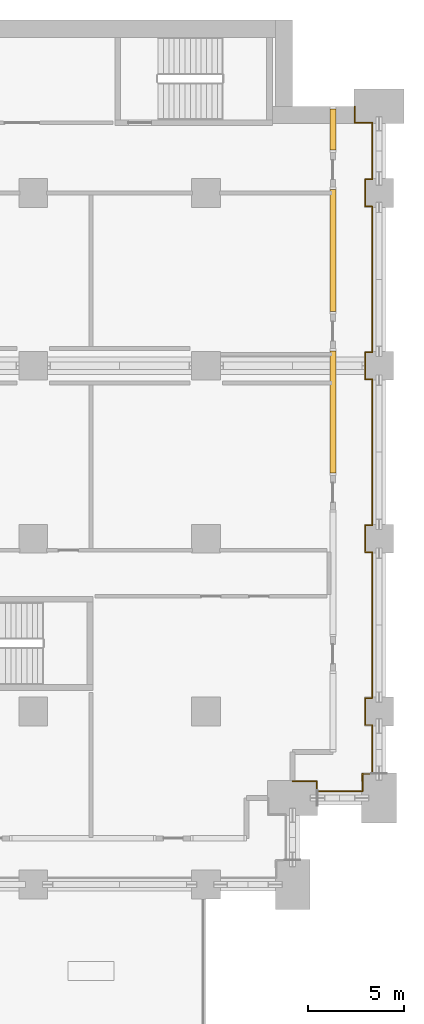
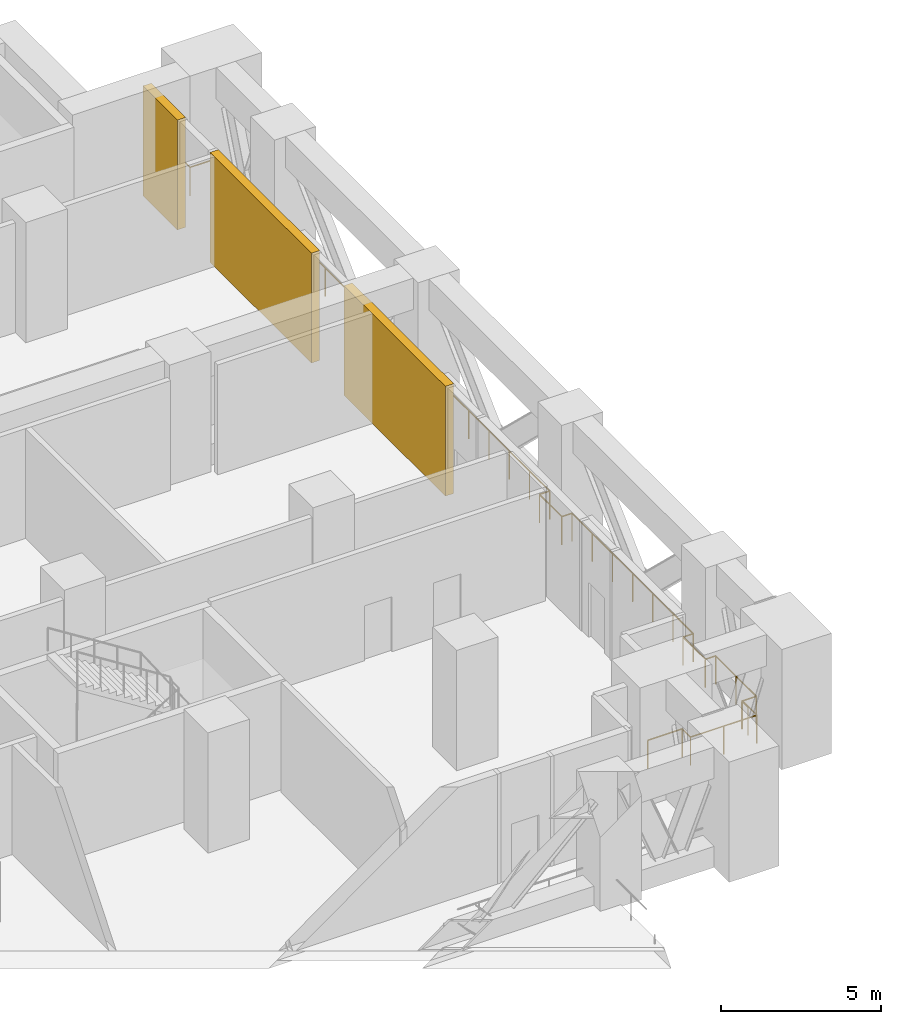
# One storey, part 31 of 31: 3 shading devices, 1 railing.
"""IFC4 building model written with IfcOpenShell, lengths in metres."""

from ifc_helpers import new_model, si_unit, direction, frame, origin, origin_2d, place, context, subcontext, project, spatial, rectangle, circle, extrude, material, layer, layer_set, type_object, element, save


model = new_model("IFC4")

# Units and contexts
model_context = context("Model", 3, precision=1e-05, world=origin(), true_north=direction((0.0, 1.0)))
body_context = subcontext(model_context, "Body", "Model", "MODEL_VIEW")
ifc_project = project(units=[si_unit("LENGTHUNIT", "METRE"), si_unit("AREAUNIT", "SQUARE_METRE"), si_unit("VOLUMEUNIT", "CUBIC_METRE"), si_unit("PLANEANGLEUNIT", "RADIAN"), si_unit("MASSUNIT", "GRAM", prefix="KILO")], contexts=[model_context])

# Site, building, storey
site_placement = place(None, origin())
site = spatial("IfcSite", under=ifc_project, at=site_placement, CompositionType="ELEMENT")
building_placement = place(site_placement, origin())
building = spatial("IfcBuilding", under=site, at=building_placement, Name="Hunhe Ridgeline Campus", CompositionType="ELEMENT")
storey_placement = place(building_placement, frame((0.0, 0.0, 31.199951171875)))
storey = spatial("IfcBuildingStorey", under=building, at=storey_placement, Name="L06", CompositionType="ELEMENT", Elevation=31.199951171875)

# Railing
ifc_material_1 = material(Name="Steel Q355", Category="steel")
railing_type = type_object("IfcRailingType", Name="Loggia guard 1100 Steel Q355", PredefinedType="GUARDRAIL", material=ifc_material_1)
railing_placement = place(storey_placement, frame((94.5, 59.3701171875, 0.0)))
element("IfcRailing", 1, at=railing_placement, inside=storey, type_object=railing_type, Name="Loggia guard 3", PredefinedType="GUARDRAIL", context=body_context, shape_type="SweptSolid", body=[
    extrude(circle(Radius=0.02392578125, at=origin_2d()), frame((0.0, 0.0, 1.076171875), z_axis=(1.0, 0.0, 0.0), x_axis=(0.0, 1.0, 0.0)), (0.0, 0.0, 1.0), 1.25),
    extrude(circle(Radius=0.02392578125, at=origin_2d()), frame((1.25, 0.0, 1.076171875), z_axis=(0.0, -1.0, 0.0), x_axis=(1.0, 0.0, 0.0)), (0.0, 0.0, 1.0), 0.52001953125),
    extrude(circle(Radius=0.02392578125, at=origin_2d()), frame((1.25, -0.52001953125, 1.076171875), z_axis=(1.0, 0.0, 0.0), x_axis=(0.0, 1.0, 0.0)), (0.0, 0.0, 1.0), 2.39990234375),
    extrude(circle(Radius=0.02392578125, at=origin_2d()), frame((3.64990234375, -0.52001953125, 1.076171875), z_axis=(0.0, 1.0, 0.0), x_axis=(-1.0, 0.0, 0.0)), (0.0, 0.0, 1.0), 0.919921875),
    extrude(circle(Radius=0.02392578125, at=origin_2d()), frame((3.64990234375, 0.39990234375, 1.076171875), z_axis=(-0.049998438503, -0.998749295943, 0.0), x_axis=(0.998749295943, -0.049998438503, 0.0)), (0.0, 0.0, 1.0), 0.400390625),
    extrude(circle(Radius=0.02392578125, at=origin_2d()), frame((3.6298828125, 0.0, 1.076171875), z_axis=(0.0, 1.0, 0.0), x_axis=(-1.0, 0.0, 0.0)), (0.0, 0.0, 1.0), 0.3798828125),
    extrude(circle(Radius=0.02392578125, at=origin_2d()), frame((3.6298828125, 0.3798828125, 1.076171875), z_axis=(1.0, 0.0, 0.0), x_axis=(0.0, 1.0, 0.0)), (0.0, 0.0, 1.0), 0.52001953125),
    extrude(circle(Radius=0.02392578125, at=origin_2d()), frame((4.14990234375, 0.3798828125, 1.076171875), z_axis=(0.0, 1.0, 0.0), x_axis=(-1.0, 0.0, 0.0)), (0.0, 0.0, 1.0), 2.550048828125),
    extrude(circle(Radius=0.02392578125, at=origin_2d()), frame((4.14990234375, 2.929931640625, 1.076171875), z_axis=(-1.0, 0.0, 0.0), x_axis=(0.0, -1.0, 0.0)), (0.0, 0.0, 1.0), 0.369873046875),
    extrude(circle(Radius=0.02392578125, at=origin_2d()), frame((3.780029296875, 2.929931640625, 1.076171875), z_axis=(0.0, 1.0, 0.0), x_axis=(-1.0, 0.0, 0.0)), (0.0, 0.0, 1.0), 1.39990234375),
    extrude(circle(Radius=0.02392578125, at=origin_2d()), frame((3.780029296875, 4.329833984375, 1.076171875), z_axis=(1.0, 0.0, 0.0), x_axis=(0.0, 1.0, 0.0)), (0.0, 0.0, 1.0), 0.369873046875),
    extrude(circle(Radius=0.02392578125, at=origin_2d()), frame((4.14990234375, 4.329833984375, 1.076171875), z_axis=(0.0, 1.0, 0.0), x_axis=(-1.0, 0.0, 0.0)), (0.0, 0.0, 1.0), 7.60009765625),
    extrude(circle(Radius=0.02392578125, at=origin_2d()), frame((4.14990234375, 11.929931640625, 1.076171875), z_axis=(-1.0, 0.0, 0.0), x_axis=(0.0, -1.0, 0.0)), (0.0, 0.0, 1.0), 0.369873046875),
    extrude(circle(Radius=0.02392578125, at=origin_2d()), frame((3.780029296875, 11.929931640625, 1.076171875), z_axis=(0.0, 1.0, 0.0), x_axis=(-1.0, 0.0, 0.0)), (0.0, 0.0, 1.0), 1.39990234375),
    extrude(circle(Radius=0.02392578125, at=origin_2d()), frame((3.780029296875, 13.329833984375, 1.076171875), z_axis=(1.0, 0.0, 0.0), x_axis=(0.0, 1.0, 0.0)), (0.0, 0.0, 1.0), 0.369873046875),
    extrude(circle(Radius=0.02392578125, at=origin_2d()), frame((4.14990234375, 13.329833984375, 1.076171875), z_axis=(0.0, 1.0, 0.0), x_axis=(-1.0, 0.0, 0.0)), (0.0, 0.0, 1.0), 7.60009765625),
    extrude(circle(Radius=0.02392578125, at=origin_2d()), frame((4.14990234375, 20.929931640625, 1.076171875), z_axis=(-1.0, 0.0, 0.0), x_axis=(0.0, -1.0, 0.0)), (0.0, 0.0, 1.0), 0.369873046875),
    extrude(circle(Radius=0.02392578125, at=origin_2d()), frame((3.780029296875, 20.929931640625, 1.076171875), z_axis=(0.0, 1.0, 0.0), x_axis=(-1.0, 0.0, 0.0)), (0.0, 0.0, 1.0), 1.39990234375),
    extrude(circle(Radius=0.02392578125, at=origin_2d()), frame((3.780029296875, 22.329833984375, 1.076171875), z_axis=(1.0, 0.0, 0.0), x_axis=(0.0, 1.0, 0.0)), (0.0, 0.0, 1.0), 0.369873046875),
    extrude(circle(Radius=0.02392578125, at=origin_2d()), frame((4.14990234375, 22.329833984375, 1.076171875), z_axis=(0.0, 1.0, 0.0), x_axis=(-1.0, 0.0, 0.0)), (0.0, 0.0, 1.0), 7.60009765625),
    extrude(circle(Radius=0.02392578125, at=origin_2d()), frame((4.14990234375, 29.929931640625, 1.076171875), z_axis=(-1.0, 0.0, 0.0), x_axis=(0.0, -1.0, 0.0)), (0.0, 0.0, 1.0), 0.369873046875),
    extrude(circle(Radius=0.02392578125, at=origin_2d()), frame((3.780029296875, 29.929931640625, 1.076171875), z_axis=(0.0, 1.0, 0.0), x_axis=(-1.0, 0.0, 0.0)), (0.0, 0.0, 1.0), 1.39990234375),
    extrude(circle(Radius=0.02392578125, at=origin_2d()), frame((3.780029296875, 31.329833984375, 1.076171875), z_axis=(1.0, 0.0, 0.0), x_axis=(0.0, 1.0, 0.0)), (0.0, 0.0, 1.0), 0.369873046875),
    extrude(circle(Radius=0.02392578125, at=origin_2d()), frame((4.14990234375, 31.329833984375, 1.076171875), z_axis=(0.0, 1.0, 0.0), x_axis=(-1.0, 0.0, 0.0)), (0.0, 0.0, 1.0), 2.949951171875),
    extrude(circle(Radius=0.02392578125, at=origin_2d()), frame((4.14990234375, 34.27978515625, 1.076171875), z_axis=(-1.0, 0.0, 0.0), x_axis=(0.0, -1.0, 0.0)), (0.0, 0.0, 1.0), 0.919921875),
    extrude(circle(Radius=0.02392578125, at=origin_2d()), frame((3.22998046875, 34.27978515625, 1.076171875), z_axis=(0.0, 1.0, 0.0), x_axis=(-1.0, 0.0, 0.0)), (0.0, 0.0, 1.0), 0.85009765625),
    extrude(circle(Radius=0.02099609375, at=origin_2d()), origin(), (0.0, 0.0, 1.0), 1.052001953125),
    extrude(circle(Radius=0.02099609375, at=origin_2d()), frame((1.25, 0.0, 0.0)), (0.0, 0.0, 1.0), 1.052001953125),
    extrude(circle(Radius=0.02099609375, at=origin_2d()), frame((1.25, -0.52001953125, 0.0)), (0.0, 0.0, 1.0), 1.052001953125),
    extrude(circle(Radius=0.02099609375, at=origin_2d()), frame((2.449951171875, -0.52001953125, 0.0)), (0.0, 0.0, 1.0), 1.052001953125),
    extrude(circle(Radius=0.02099609375, at=origin_2d()), frame((3.64990234375, -0.52001953125, 0.0)), (0.0, 0.0, 1.0), 1.052001953125),
    extrude(circle(Radius=0.02099609375, at=origin_2d()), frame((3.64990234375, 0.39990234375, 0.0)), (0.0, 0.0, 1.0), 1.052001953125),
    extrude(circle(Radius=0.02099609375, at=origin_2d()), frame((3.6298828125, 0.0, 0.0)), (0.0, 0.0, 1.0), 1.052001953125),
    extrude(circle(Radius=0.02099609375, at=origin_2d()), frame((3.6298828125, 0.3798828125, 0.0)), (0.0, 0.0, 1.0), 1.052001953125),
    extrude(circle(Radius=0.02099609375, at=origin_2d()), frame((4.14990234375, 0.3798828125, 0.0)), (0.0, 0.0, 1.0), 1.052001953125),
    extrude(circle(Radius=0.02099609375, at=origin_2d()), frame((4.14990234375, 1.65478515625, 0.0)), (0.0, 0.0, 1.0), 1.052001953125),
    extrude(circle(Radius=0.02099609375, at=origin_2d()), frame((4.14990234375, 2.929931640625, 0.0)), (0.0, 0.0, 1.0), 1.052001953125),
    extrude(circle(Radius=0.02099609375, at=origin_2d()), frame((3.780029296875, 2.929931640625, 0.0)), (0.0, 0.0, 1.0), 1.052001953125),
    extrude(circle(Radius=0.02099609375, at=origin_2d()), frame((3.780029296875, 4.329833984375, 0.0)), (0.0, 0.0, 1.0), 1.052001953125),
    extrude(circle(Radius=0.02099609375, at=origin_2d()), frame((4.14990234375, 4.329833984375, 0.0)), (0.0, 0.0, 1.0), 1.052001953125),
    extrude(circle(Radius=0.02099609375, at=origin_2d()), frame((4.14990234375, 5.596435546875, 0.0)), (0.0, 0.0, 1.0), 1.052001953125),
    extrude(circle(Radius=0.02099609375, at=origin_2d()), frame((4.14990234375, 6.86328125, 0.0)), (0.0, 0.0, 1.0), 1.052001953125),
    extrude(circle(Radius=0.02099609375, at=origin_2d()), frame((4.14990234375, 8.1298828125, 0.0)), (0.0, 0.0, 1.0), 1.052001953125),
    extrude(circle(Radius=0.02099609375, at=origin_2d()), frame((4.14990234375, 9.396484375, 0.0)), (0.0, 0.0, 1.0), 1.052001953125),
    extrude(circle(Radius=0.02099609375, at=origin_2d()), frame((4.14990234375, 10.663330078125, 0.0)), (0.0, 0.0, 1.0), 1.052001953125),
    extrude(circle(Radius=0.02099609375, at=origin_2d()), frame((4.14990234375, 11.929931640625, 0.0)), (0.0, 0.0, 1.0), 1.052001953125),
    extrude(circle(Radius=0.02099609375, at=origin_2d()), frame((3.780029296875, 11.929931640625, 0.0)), (0.0, 0.0, 1.0), 1.052001953125),
    extrude(circle(Radius=0.02099609375, at=origin_2d()), frame((3.780029296875, 13.329833984375, 0.0)), (0.0, 0.0, 1.0), 1.052001953125),
    extrude(circle(Radius=0.02099609375, at=origin_2d()), frame((4.14990234375, 13.329833984375, 0.0)), (0.0, 0.0, 1.0), 1.052001953125),
    extrude(circle(Radius=0.02099609375, at=origin_2d()), frame((4.14990234375, 14.596435546875, 0.0)), (0.0, 0.0, 1.0), 1.052001953125),
    extrude(circle(Radius=0.02099609375, at=origin_2d()), frame((4.14990234375, 15.86328125, 0.0)), (0.0, 0.0, 1.0), 1.052001953125),
    extrude(circle(Radius=0.02099609375, at=origin_2d()), frame((4.14990234375, 17.1298828125, 0.0)), (0.0, 0.0, 1.0), 1.052001953125),
    extrude(circle(Radius=0.02099609375, at=origin_2d()), frame((4.14990234375, 18.396484375, 0.0)), (0.0, 0.0, 1.0), 1.052001953125),
    extrude(circle(Radius=0.02099609375, at=origin_2d()), frame((4.14990234375, 19.663330078125, 0.0)), (0.0, 0.0, 1.0), 1.052001953125),
    extrude(circle(Radius=0.02099609375, at=origin_2d()), frame((4.14990234375, 20.929931640625, 0.0)), (0.0, 0.0, 1.0), 1.052001953125),
    extrude(circle(Radius=0.02099609375, at=origin_2d()), frame((3.780029296875, 20.929931640625, 0.0)), (0.0, 0.0, 1.0), 1.052001953125),
    extrude(circle(Radius=0.02099609375, at=origin_2d()), frame((3.780029296875, 22.329833984375, 0.0)), (0.0, 0.0, 1.0), 1.052001953125),
    extrude(circle(Radius=0.02099609375, at=origin_2d()), frame((4.14990234375, 22.329833984375, 0.0)), (0.0, 0.0, 1.0), 1.052001953125),
    extrude(circle(Radius=0.02099609375, at=origin_2d()), frame((4.14990234375, 23.596435546875, 0.0)), (0.0, 0.0, 1.0), 1.052001953125),
    extrude(circle(Radius=0.02099609375, at=origin_2d()), frame((4.14990234375, 24.86328125, 0.0)), (0.0, 0.0, 1.0), 1.052001953125),
    extrude(circle(Radius=0.02099609375, at=origin_2d()), frame((4.14990234375, 26.1298828125, 0.0)), (0.0, 0.0, 1.0), 1.052001953125),
    extrude(circle(Radius=0.02099609375, at=origin_2d()), frame((4.14990234375, 27.396484375, 0.0)), (0.0, 0.0, 1.0), 1.052001953125),
    extrude(circle(Radius=0.02099609375, at=origin_2d()), frame((4.14990234375, 28.663330078125, 0.0)), (0.0, 0.0, 1.0), 1.052001953125),
    extrude(circle(Radius=0.02099609375, at=origin_2d()), frame((4.14990234375, 29.929931640625, 0.0)), (0.0, 0.0, 1.0), 1.052001953125),
    extrude(circle(Radius=0.02099609375, at=origin_2d()), frame((3.780029296875, 29.929931640625, 0.0)), (0.0, 0.0, 1.0), 1.052001953125),
    extrude(circle(Radius=0.02099609375, at=origin_2d()), frame((3.780029296875, 31.329833984375, 0.0)), (0.0, 0.0, 1.0), 1.052001953125),
    extrude(circle(Radius=0.02099609375, at=origin_2d()), frame((4.14990234375, 31.329833984375, 0.0)), (0.0, 0.0, 1.0), 1.052001953125),
    extrude(circle(Radius=0.02099609375, at=origin_2d()), frame((4.14990234375, 32.8046875, 0.0)), (0.0, 0.0, 1.0), 1.052001953125),
    extrude(circle(Radius=0.02099609375, at=origin_2d()), frame((4.14990234375, 34.27978515625, 0.0)), (0.0, 0.0, 1.0), 1.052001953125),
    extrude(circle(Radius=0.02099609375, at=origin_2d()), frame((3.22998046875, 34.27978515625, 0.0)), (0.0, 0.0, 1.0), 1.052001953125),
    extrude(circle(Radius=0.02099609375, at=origin_2d()), frame((3.22998046875, 35.1298828125, 0.0)), (0.0, 0.0, 1.0), 1.052001953125),
])

# Shading devices
ifc_material_2 = material(Name="Aluminium 6063", Category="aluminium")
ifc_layer = layer(ifc_material_2, 0.300048828125)
ifc_layer_set = layer_set([ifc_layer], Name="Louvre bank 300 Aluminium 6063")
shading_device_type = type_object("IfcShadingDeviceType", Name="Louvre bank 300 Aluminium 6063", PredefinedType="USERDEFINED", material=ifc_layer_set)
for number, where, z_axis, x_axis, name in (
    (2, (96.59912109375, 78.6005859375, 0.0), (0.0, 0.0, 1.0), (0.0, 1.0, 0.0), "Louvre bank 29"),
    (3, (96.59912109375, 87.000244140625, 0.0), (0.0, 0.0, 1.0), (0.0, 1.0, 0.0), "Louvre bank 30"),
):
    element("IfcShadingDevice", number, at=place(storey_placement, frame(where, z_axis=z_axis, x_axis=x_axis)), inside=storey, type_object=shading_device_type, Name=name, ObjectType="LOUVRE", PredefinedType="USERDEFINED", context=body_context, shape_type="SweptSolid", body=[
        extrude(rectangle(XDim=6.35986328125, YDim=0.300048828125, at=origin_2d()), origin(), (0.0, 0.0, 1.0), 4.199951171875),
    ])
shading_device_placement = place(storey_placement, frame((96.59912109375, 93.300048828125, 0.0), z_axis=(0.0, 0.0, 1.0), x_axis=(0.0, 1.0, 0.0)))
element("IfcShadingDevice", 4, at=shading_device_placement, inside=storey, type_object=shading_device_type, Name="Louvre bank 31", ObjectType="LOUVRE", PredefinedType="USERDEFINED", context=body_context, shape_type="SweptSolid", body=[
    extrude(rectangle(XDim=2.159912109375, YDim=0.300048828125, at=origin_2d()), origin(), (0.0, 0.0, 1.0), 4.199951171875),
])

save(model, "model.ifc")
